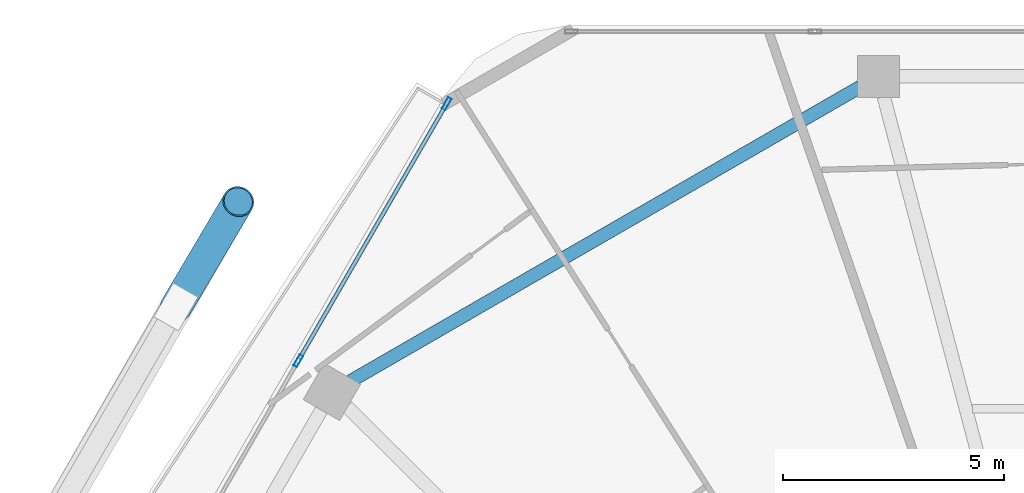
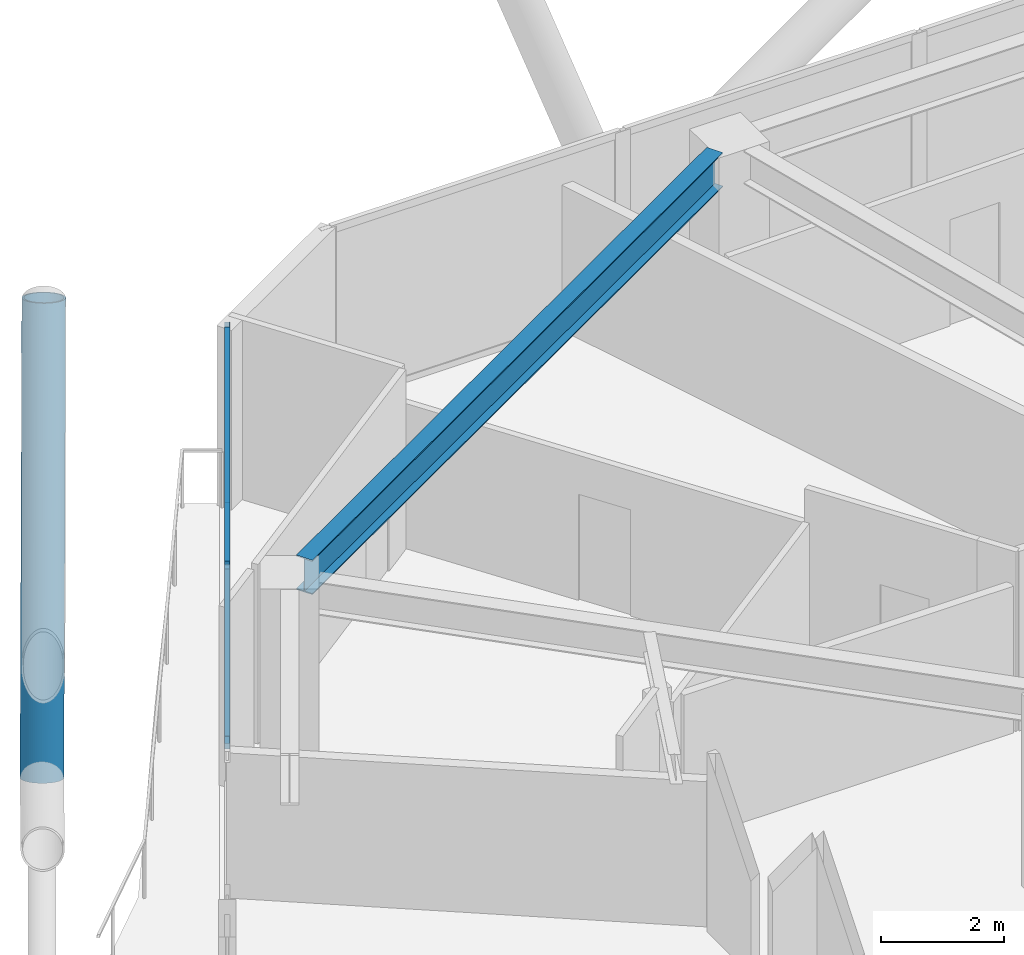
# One storey, part 13 of 28: 5 members, 1 beam, 1 element without a shape of its own.
"""IFC4 building model written with IfcOpenShell, lengths in metres."""

from ifc_helpers import new_model, si_unit, direction, frame, origin, origin_2d, place, context, subcontext, project, spatial, hollow_rectangle, hollow_circle, i_section, extrude, material, material_profile, profile_set, type_object, element, aggregate, save


model = new_model("IFC4")

# Units and contexts
model_context = context("Model", 3, precision=1e-05, world=origin(), true_north=direction((0.0, 1.0)))
body_context = subcontext(model_context, "Body", "Model", "MODEL_VIEW")
ifc_project = project(units=[si_unit("LENGTHUNIT", "METRE"), si_unit("AREAUNIT", "SQUARE_METRE"), si_unit("VOLUMEUNIT", "CUBIC_METRE"), si_unit("PLANEANGLEUNIT", "RADIAN"), si_unit("MASSUNIT", "GRAM", prefix="KILO")], contexts=[model_context])

# Site, building, storey
site_placement = place(None, origin())
site = spatial("IfcSite", under=ifc_project, at=site_placement, CompositionType="ELEMENT")
building_placement = place(site_placement, origin())
building = spatial("IfcBuilding", under=site, at=building_placement, Name="Zuhravey Tower", CompositionType="ELEMENT")
storey_placement = place(building_placement, frame((0.0, 0.0, 199.800048828125)))
storey = spatial("IfcBuildingStorey", under=building, at=storey_placement, Name="L50", CompositionType="ELEMENT", Elevation=199.800048828125)

# Curtain wall, members
ifc_material_1 = material(Name="Thermally broken anodised aluminium", Category="aluminium")
curtain_wall_type = type_object("IfcCurtainWallType", Name="Zone 1-2 Residential Curtain Wall CW3", PredefinedType="NOTDEFINED", material=ifc_material_1)
curtain_wall_placement = place(storey_placement, origin())
curtain_wall = element("IfcCurtainWall", 1, at=curtain_wall_placement, inside=storey, type_object=curtain_wall_type, Name="L50 CW3 CW-L50-F3-2", PredefinedType="NOTDEFINED")
ifc_material_2 = material(Name="Anodised aluminium", Category="aluminium")
ifc_material_profile_1 = material_profile(ifc_material_2, hollow_rectangle(XDim=0.090087890625, YDim=0.284912109375, WallThickness=0.0048828125, at=origin_2d()), Name="ALU-RHS-90x285x5")
ifc_profile_set_1 = profile_set([ifc_material_profile_1], Name="Anodised aluminium")
member_type_1 = type_object("IfcMemberType", Name="Curtain-Wall Mullion 90x180", PredefinedType="MULLION", material=ifc_profile_set_1)
member_1_placement = place(storey_placement, frame((16.014892578125, 51.750732421875, 0.0), z_axis=(0.0, 0.0, 1.0), x_axis=(-0.866027054006, 0.499997141722, 0.0)))
member_1 = element("IfcMember", 2, at=member_1_placement, type_object=member_type_1, Name="CW3 mullion 2", PredefinedType="MULLION", context=body_context, shape_type="SweptSolid", body=[
    extrude(hollow_rectangle(XDim=0.090087890625, YDim=0.284912109375, WallThickness=0.0048828125, at=origin_2d()), origin(), (0.0, 0.0, 1.0), 3.550048828125),
])
member_2_placement = place(storey_placement, frame((19.36669921875, 57.556640625, 0.0), z_axis=(0.0, 0.0, 1.0), x_axis=(-0.866027054006, 0.499997141722, 0.0)))
member_2 = element("IfcMember", 3, at=member_2_placement, type_object=member_type_1, Name="CW3 mullion 3", PredefinedType="MULLION", context=body_context, shape_type="SweptSolid", body=[
    extrude(hollow_rectangle(XDim=0.090087890625, YDim=0.284912109375, WallThickness=0.0048828125, at=origin_2d()), origin(), (0.0, 0.0, 1.0), 3.550048828125),
])
ifc_material_profile_2 = material_profile(ifc_material_2, hollow_rectangle(XDim=0.090087890625, YDim=0.14990234375, WallThickness=0.0048828125, at=origin_2d()), Name="ALU-RHS-90x150x5")
ifc_profile_set_2 = profile_set([ifc_material_profile_2], Name="Anodised aluminium")
member_type_2 = type_object("IfcMemberType", Name="Curtain-Wall Transom 90x150", PredefinedType="USERDEFINED", material=ifc_profile_set_2)
member_3_placement = place(storey_placement, frame((16.037353515625, 51.789794921875, 0.044921875), z_axis=(0.49999405694, 0.866028834985, 0.0), x_axis=(-0.866028834985, 0.49999405694, 0.0)))
member_3 = element("IfcMember", 4, at=member_3_placement, type_object=member_type_2, Name="CW3 transom 2.1", ObjectType="TRANSOM", PredefinedType="USERDEFINED", context=body_context, shape_type="SweptSolid", body=[
    extrude(hollow_rectangle(XDim=0.090087890625, YDim=0.14990234375, WallThickness=0.0048828125, at=origin_2d()), origin(), (0.0, 0.0, 1.0), 6.61376953125),
])
member_4_placement = place(storey_placement, frame((16.037353515625, 51.789794921875, 3.5048828125), z_axis=(0.49999405694, 0.866028834985, 0.0), x_axis=(-0.866028834985, 0.49999405694, 0.0)))
member_4 = element("IfcMember", 5, at=member_4_placement, type_object=member_type_2, Name="CW3 transom 2.2", ObjectType="TRANSOM", PredefinedType="USERDEFINED", context=body_context, shape_type="SweptSolid", body=[
    extrude(hollow_rectangle(XDim=0.090087890625, YDim=0.14990234375, WallThickness=0.0048828125, at=origin_2d()), origin(), (0.0, 0.0, 1.0), 6.61376953125),
])
aggregate(curtain_wall, [member_1, member_2, member_3, member_4])

# Member
ifc_material_3 = material(Name="Steel SM460", Category="steel")
ifc_material_profile_3 = material_profile(ifc_material_3, hollow_circle(Radius=0.355712890625, WallThickness=0.031982421875, at=origin_2d()), Name="CHS-711.2x32")
ifc_profile_set_3 = profile_set([ifc_material_profile_3], Name="Steel SM460")
member_type_3 = type_object("IfcMemberType", Name="Exoskeleton Zone 2 Diagrid CHS711x32", PredefinedType="BRACE", material=ifc_profile_set_3)
member_5_placement = place(storey_placement, frame((13.2548828125, 52.97021484375, -0.444091796875), z_axis=(0.174641459802, 0.295103720853, 0.939369019319), x_axis=(-0.860591717752, 0.509295489217, 0.0)))
element("IfcMember", 6, at=member_5_placement, inside=storey, type_object=member_type_3, Name="L50 Face 3 Diagrid Brace 1", PredefinedType="BRACE", context=body_context, shape_type="SweptSolid", body=[
    extrude(hollow_circle(Radius=0.355712890625, WallThickness=0.031982421875, at=origin_2d()), origin(), (0.0, 0.0, 1.0), 8.048095703125),
])

# Beam
ifc_material_4 = material(Name="Steel SM355", Category="steel")
ifc_material_profile_4 = material_profile(ifc_material_4, i_section(OverallWidth=0.300048828125, OverallDepth=0.679931640625, WebThickness=0.012939453125, FlangeThickness=0.02197265625, at=origin_2d()), Name="H-680x300x13x22")
ifc_profile_set_4 = profile_set([ifc_material_profile_4], Name="Steel SM355")
beam_type = type_object("IfcBeamType", Name="Perimeter Ring Beam H680x300", PredefinedType="BEAM", material=ifc_profile_set_4)
beam_placement = place(storey_placement, frame((28.7041015625, 57.93408203125, 3.2099609375), z_axis=(-0.866029041019, -0.499993700073, 0.0), x_axis=(0.499993700073, -0.866029041019, 0.0)))
element("IfcBeam", 7, at=beam_placement, inside=storey, type_object=beam_type, Name="L50 PB2 BM-L50-PB-04", PredefinedType="BEAM", context=body_context, shape_type="SweptSolid", body=[
    extrude(i_section(OverallWidth=0.300048828125, OverallDepth=0.679931640625, WebThickness=0.012939453125, FlangeThickness=0.02197265625, at=origin_2d()), origin(), (0.0, 0.0, 1.0), 13.297119140625),
])

save(model, "model.ifc")
